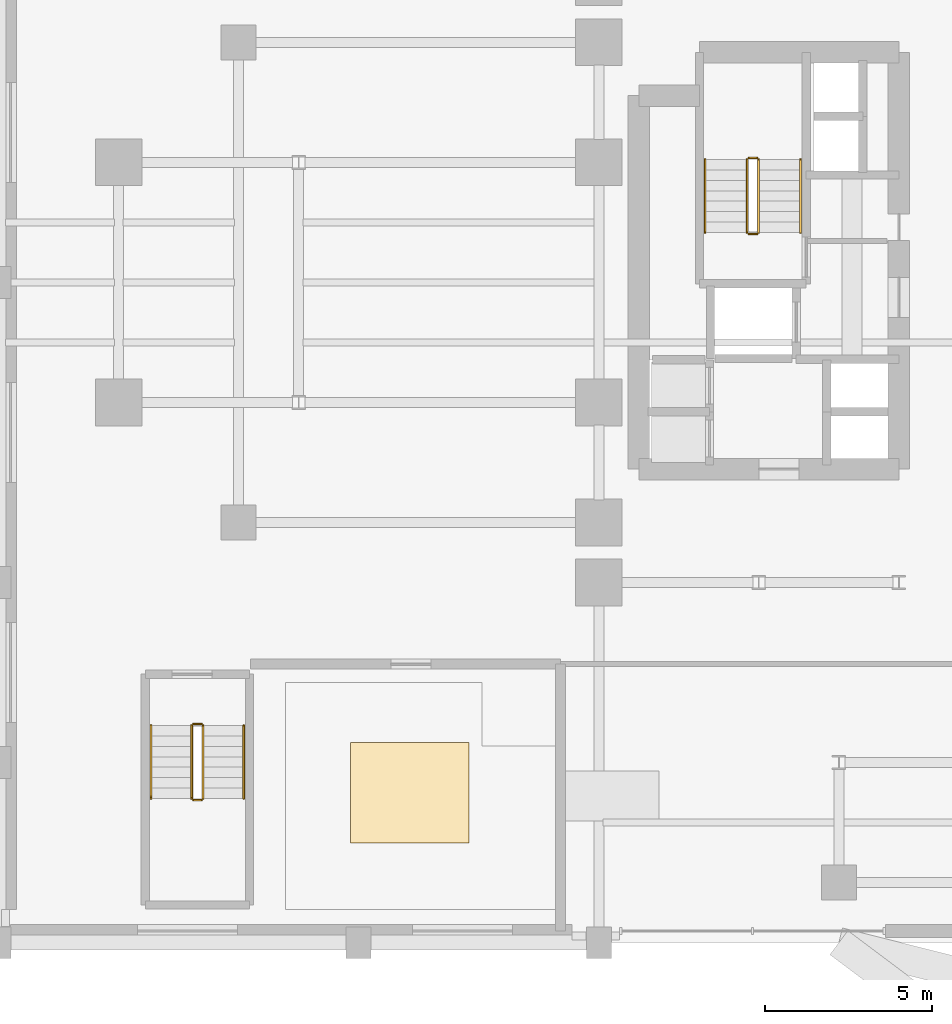
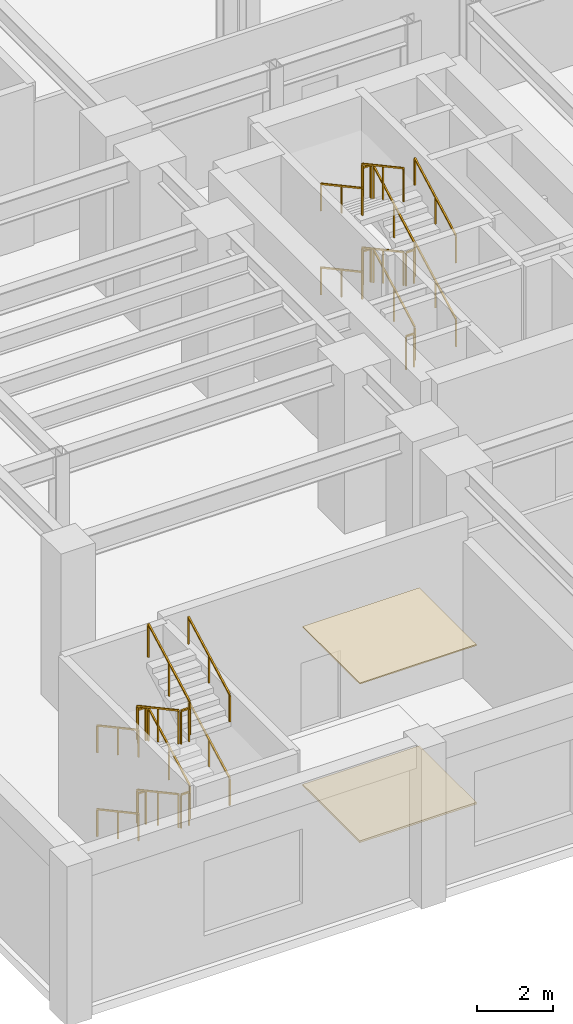
# One storey, part 14 of 16: 24 railings, 2 coverings.
"""IFC4 building model written with IfcOpenShell, lengths in metres."""

from ifc_helpers import new_model, si_unit, direction, frame, origin, origin_2d, place, context, subcontext, project, spatial, rectangle, extrude, source, transform, mapped, material, layer, layer_set, type_object, element, save


model = new_model("IFC4")

# Units and contexts
model_context = context("Model", 3, precision=1e-05, world=origin(), true_north=direction((0.0, 1.0)))
body_context = subcontext(model_context, "Body", "Model", "MODEL_VIEW")
ifc_project = project(units=[si_unit("LENGTHUNIT", "METRE"), si_unit("AREAUNIT", "SQUARE_METRE"), si_unit("VOLUMEUNIT", "CUBIC_METRE"), si_unit("PLANEANGLEUNIT", "RADIAN"), si_unit("MASSUNIT", "GRAM", prefix="KILO")], contexts=[model_context])

# Site, building, storey
site_placement = place(None, origin())
site = spatial("IfcSite", under=ifc_project, at=site_placement, CompositionType="ELEMENT")
building_placement = place(site_placement, origin())
building = spatial("IfcBuilding", under=site, at=building_placement, Name="Keilestroom Media Tower", CompositionType="ELEMENT")
storey_placement = place(building_placement, frame((0.0, 0.0, 10.199951171875)))
storey = spatial("IfcBuildingStorey", under=building, at=storey_placement, Name="L02", CompositionType="ELEMENT", Elevation=10.199951171875)

# Railings
ifc_material_1 = material(Name="Brushed Stainless Steel 1.4301", Category="steel")
railing_type_1 = type_object("IfcRailingType", Name="Stair-Pitch-Handrail-920", PredefinedType="HANDRAIL", material=ifc_material_1)
railing_1_placement = place(storey_placement, frame((-8.35009765625, 1.5, 0.168701171875)))
element("IfcRailing", 1, at=railing_1_placement, inside=storey, type_object=railing_type_1, Name="L02 ST-1 stair handrail 1", PredefinedType="HANDRAIL", context=body_context, shape_type="SweptSolid", body=[
    extrude(rectangle(XDim=0.048095703125, YDim=0.048095703125, at=origin_2d()), frame((0.0, 0.0, 0.8759765625), z_axis=(0.0, 0.879569751981, 0.475769956387), x_axis=(-1.0, 0.0, 0.0)), (0.0, 0.0, 1.0), 2.483154296875),
    extrude(rectangle(XDim=0.0419921875, YDim=0.0419921875, at=origin_2d()), origin(), (0.0, 0.0, 1.0), 0.84375),
    extrude(rectangle(XDim=0.0419921875, YDim=0.0419921875, at=origin_2d()), frame((0.0, 1.092041015625, 0.5908203125)), (0.0, 0.0, 1.0), 0.84375),
    extrude(rectangle(XDim=0.0419921875, YDim=0.0419921875, at=origin_2d()), frame((0.0, 2.18408203125, 1.181396484375)), (0.0, 0.0, 1.0), 0.84375),
])
railing_2_placement = place(storey_placement, frame((-11.2099609375, 3.68408203125, 1.518798828125)))
element("IfcRailing", 2, at=railing_2_placement, inside=storey, type_object=railing_type_1, Name="L02 ST-1 stair handrail 2", PredefinedType="HANDRAIL", context=body_context, shape_type="SweptSolid", body=[
    extrude(rectangle(XDim=0.048095703125, YDim=0.048095703125, at=origin_2d()), frame((0.0, 0.0, 0.8759765625), z_axis=(0.0, -0.879610894823, 0.475693886559), x_axis=(1.0, 0.0, 0.0)), (0.0, 0.0, 1.0), 2.48291015625),
    extrude(rectangle(XDim=0.0419921875, YDim=0.0419921875, at=origin_2d()), origin(), (0.0, 0.0, 1.0), 0.84375),
    extrude(rectangle(XDim=0.0419921875, YDim=0.0419921875, at=origin_2d()), frame((0.0, -1.092041015625, 0.590576171875)), (0.0, 0.0, 1.0), 0.84375),
    extrude(rectangle(XDim=0.0419921875, YDim=0.0419921875, at=origin_2d()), frame((0.0, -2.18408203125, 1.18115234375)), (0.0, 0.0, 1.0), 0.84375),
])
railing_3_placement = place(storey_placement, frame((-8.35009765625, 1.5, 2.868896484375)))
element("IfcRailing", 3, at=railing_3_placement, inside=storey, type_object=railing_type_1, Name="L02 ST-1 stair handrail 3", PredefinedType="HANDRAIL", context=body_context, shape_type="SweptSolid", body=[
    extrude(rectangle(XDim=0.048095703125, YDim=0.048095703125, at=origin_2d()), frame((0.0, 0.0, 0.8759765625), z_axis=(0.0, 0.879610894823, 0.475693886559), x_axis=(-1.0, 0.0, 0.0)), (0.0, 0.0, 1.0), 2.48291015625),
    extrude(rectangle(XDim=0.0419921875, YDim=0.0419921875, at=origin_2d()), origin(), (0.0, 0.0, 1.0), 0.84375),
    extrude(rectangle(XDim=0.0419921875, YDim=0.0419921875, at=origin_2d()), frame((0.0, 1.092041015625, 0.590576171875)), (0.0, 0.0, 1.0), 0.84375),
    extrude(rectangle(XDim=0.0419921875, YDim=0.0419921875, at=origin_2d()), frame((0.0, 2.18408203125, 1.18115234375)), (0.0, 0.0, 1.0), 0.84375),
])
for number, where, name in (
    (4, (-11.2099609375, 3.68408203125, 4.21875), "L02 ST-1 stair handrail 4"),
    (5, (-27.830078125, -13.2900390625, 0.168701171875), "L02 ST-3 stair handrail 1"),
):
    element("IfcRailing", number, at=place(storey_placement, frame(where)), inside=storey, type_object=railing_type_1, Name=name, PredefinedType="HANDRAIL", context=body_context, shape_type="SweptSolid", body=[
        extrude(rectangle(XDim=0.048095703125, YDim=0.048095703125, at=origin_2d()), frame((0.0, 0.0, 0.8759765625), z_axis=(0.0, -0.879569751981, 0.475769956387), x_axis=(1.0, 0.0, 0.0)), (0.0, 0.0, 1.0), 2.483154296875),
        extrude(rectangle(XDim=0.0419921875, YDim=0.0419921875, at=origin_2d()), origin(), (0.0, 0.0, 1.0), 0.84375),
        extrude(rectangle(XDim=0.0419921875, YDim=0.0419921875, at=origin_2d()), frame((0.0, -1.092041015625, 0.5908203125)), (0.0, 0.0, 1.0), 0.84375),
        extrude(rectangle(XDim=0.0419921875, YDim=0.0419921875, at=origin_2d()), frame((0.0, -2.18408203125, 1.181396484375)), (0.0, 0.0, 1.0), 0.84375),
    ])
railing_4_placement = place(storey_placement, frame((-25.050048828125, -15.47412109375, 1.518798828125)))
element("IfcRailing", 6, at=railing_4_placement, inside=storey, type_object=railing_type_1, Name="L02 ST-3 stair handrail 2", PredefinedType="HANDRAIL", context=body_context, shape_type="SweptSolid", body=[
    extrude(rectangle(XDim=0.048095703125, YDim=0.048095703125, at=origin_2d()), frame((0.0, 0.0, 0.8759765625), z_axis=(0.0, 0.879610894823, 0.475693886559), x_axis=(-1.0, 0.0, 0.0)), (0.0, 0.0, 1.0), 2.48291015625),
    extrude(rectangle(XDim=0.0419921875, YDim=0.0419921875, at=origin_2d()), origin(), (0.0, 0.0, 1.0), 0.84375),
    extrude(rectangle(XDim=0.0419921875, YDim=0.0419921875, at=origin_2d()), frame((0.0, 1.092041015625, 0.590576171875)), (0.0, 0.0, 1.0), 0.84375),
    extrude(rectangle(XDim=0.0419921875, YDim=0.0419921875, at=origin_2d()), frame((0.0, 2.18408203125, 1.18115234375)), (0.0, 0.0, 1.0), 0.84375),
])
railing_5_placement = place(storey_placement, frame((-27.830078125, -13.2900390625, 2.868896484375)))
element("IfcRailing", 7, at=railing_5_placement, inside=storey, type_object=railing_type_1, Name="L02 ST-3 stair handrail 3", PredefinedType="HANDRAIL", context=body_context, shape_type="SweptSolid", body=[
    extrude(rectangle(XDim=0.048095703125, YDim=0.048095703125, at=origin_2d()), frame((0.0, 0.0, 0.8759765625), z_axis=(0.0, -0.879610894823, 0.475693886559), x_axis=(1.0, 0.0, 0.0)), (0.0, 0.0, 1.0), 2.48291015625),
    extrude(rectangle(XDim=0.0419921875, YDim=0.0419921875, at=origin_2d()), origin(), (0.0, 0.0, 1.0), 0.84375),
    extrude(rectangle(XDim=0.0419921875, YDim=0.0419921875, at=origin_2d()), frame((0.0, -1.092041015625, 0.590576171875)), (0.0, 0.0, 1.0), 0.84375),
    extrude(rectangle(XDim=0.0419921875, YDim=0.0419921875, at=origin_2d()), frame((0.0, -2.18408203125, 1.18115234375)), (0.0, 0.0, 1.0), 0.84375),
])
railing_6_placement = place(storey_placement, frame((-25.050048828125, -15.47412109375, 4.21875)))
element("IfcRailing", 8, at=railing_6_placement, inside=storey, type_object=railing_type_1, Name="L02 ST-3 stair handrail 4", PredefinedType="HANDRAIL", context=body_context, shape_type="SweptSolid", body=[
    extrude(rectangle(XDim=0.048095703125, YDim=0.048095703125, at=origin_2d()), frame((0.0, 0.0, 0.8759765625), z_axis=(0.0, 0.879569751981, 0.475769956387), x_axis=(-1.0, 0.0, 0.0)), (0.0, 0.0, 1.0), 2.483154296875),
    extrude(rectangle(XDim=0.0419921875, YDim=0.0419921875, at=origin_2d()), origin(), (0.0, 0.0, 1.0), 0.84375),
    extrude(rectangle(XDim=0.0419921875, YDim=0.0419921875, at=origin_2d()), frame((0.0, 1.092041015625, 0.5908203125)), (0.0, 0.0, 1.0), 0.84375),
    extrude(rectangle(XDim=0.0419921875, YDim=0.0419921875, at=origin_2d()), frame((0.0, 2.18408203125, 1.181396484375)), (0.0, 0.0, 1.0), 0.84375),
])
ifc_material_2 = material(Name="Painted Steel Balustrade", Category="steel")
railing_type_2 = type_object("IfcRailingType", Name="Stair-Well-And-Landing-Guard-1100", PredefinedType="GUARDRAIL", material=ifc_material_2)
railing_7_placement = place(storey_placement, frame((-9.610107421875, 1.5, 0.168701171875)))
element("IfcRailing", 9, at=railing_7_placement, inside=storey, type_object=railing_type_2, Name="L02 ST-1 stair guard 1", PredefinedType="GUARDRAIL", context=body_context, shape_type="SweptSolid", body=[
    extrude(rectangle(XDim=0.048095703125, YDim=0.048095703125, at=origin_2d()), frame((0.0, 0.0, 1.076171875), z_axis=(0.0, 0.879569751981, 0.475769956387), x_axis=(-1.0, 0.0, 0.0)), (0.0, 0.0, 1.0), 2.483154296875),
    extrude(rectangle(XDim=0.0419921875, YDim=0.0419921875, at=origin_2d()), origin(), (0.0, 0.0, 1.0), 1.0439453125),
    extrude(rectangle(XDim=0.0419921875, YDim=0.0419921875, at=origin_2d()), frame((0.0, 1.092041015625, 0.5908203125)), (0.0, 0.0, 1.0), 1.0439453125),
    extrude(rectangle(XDim=0.0419921875, YDim=0.0419921875, at=origin_2d()), frame((0.0, 2.18408203125, 1.181396484375)), (0.0, 0.0, 1.0), 1.0439453125),
])
railing_8_placement = place(storey_placement, frame((-9.659912109375, 3.73388671875, 1.35009765625)))
element("IfcRailing", 10, at=railing_8_placement, inside=storey, type_object=railing_type_2, Name="L02 ST-1 stair guard 2", PredefinedType="GUARDRAIL", context=body_context, shape_type="SweptSolid", body=[
    extrude(rectangle(XDim=0.048095703125, YDim=0.048095703125, at=origin_2d()), frame((0.0, 0.0, 1.076171875), z_axis=(-1.0, 0.0, 0.0), x_axis=(0.0, -1.0, 0.0)), (0.0, 0.0, 1.0), 0.239990234375),
    extrude(rectangle(XDim=0.0419921875, YDim=0.0419921875, at=origin_2d()), origin(), (0.0, 0.0, 1.0), 1.0439453125),
    extrude(rectangle(XDim=0.0419921875, YDim=0.0419921875, at=origin_2d()), frame((-0.239990234375, 0.0, 0.0)), (0.0, 0.0, 1.0), 1.0439453125),
])
railing_9_placement = place(storey_placement, frame((-9.949951171875, 3.68408203125, 1.518798828125)))
element("IfcRailing", 11, at=railing_9_placement, inside=storey, type_object=railing_type_2, Name="L02 ST-1 stair guard 3", PredefinedType="GUARDRAIL", context=body_context, shape_type="SweptSolid", body=[
    extrude(rectangle(XDim=0.048095703125, YDim=0.048095703125, at=origin_2d()), frame((0.0, 0.0, 1.076171875), z_axis=(0.0, -0.879610894823, 0.475693886559), x_axis=(1.0, 0.0, 0.0)), (0.0, 0.0, 1.0), 2.48291015625),
    extrude(rectangle(XDim=0.0419921875, YDim=0.0419921875, at=origin_2d()), origin(), (0.0, 0.0, 1.0), 1.0439453125),
    extrude(rectangle(XDim=0.0419921875, YDim=0.0419921875, at=origin_2d()), frame((0.0, -1.092041015625, 0.590576171875)), (0.0, 0.0, 1.0), 1.0439453125),
    extrude(rectangle(XDim=0.0419921875, YDim=0.0419921875, at=origin_2d()), frame((0.0, -2.18408203125, 1.18115234375)), (0.0, 0.0, 1.0), 1.0439453125),
])
railing_10_placement = place(storey_placement, frame((-9.659912109375, 1.449951171875, 2.699951171875)))
element("IfcRailing", 12, at=railing_10_placement, inside=storey, type_object=railing_type_2, Name="L02 ST-1 stair guard 4", PredefinedType="GUARDRAIL", context=body_context, shape_type="SweptSolid", body=[
    extrude(rectangle(XDim=0.048095703125, YDim=0.048095703125, at=origin_2d()), frame((0.0, 0.0, 1.076171875), z_axis=(-1.0, 0.0, 0.0), x_axis=(0.0, -1.0, 0.0)), (0.0, 0.0, 1.0), 0.239990234375),
    extrude(rectangle(XDim=0.0419921875, YDim=0.0419921875, at=origin_2d()), origin(), (0.0, 0.0, 1.0), 1.0439453125),
    extrude(rectangle(XDim=0.0419921875, YDim=0.0419921875, at=origin_2d()), frame((-0.239990234375, 0.0, 0.0)), (0.0, 0.0, 1.0), 1.0439453125),
])
railing_11_placement = place(storey_placement, frame((-9.610107421875, 1.5, 2.868896484375)))
element("IfcRailing", 13, at=railing_11_placement, inside=storey, type_object=railing_type_2, Name="L02 ST-1 stair guard 5", PredefinedType="GUARDRAIL", context=body_context, shape_type="SweptSolid", body=[
    extrude(rectangle(XDim=0.048095703125, YDim=0.048095703125, at=origin_2d()), frame((0.0, 0.0, 1.076171875), z_axis=(0.0, 0.879610894823, 0.475693886559), x_axis=(-1.0, 0.0, 0.0)), (0.0, 0.0, 1.0), 2.48291015625),
    extrude(rectangle(XDim=0.0419921875, YDim=0.0419921875, at=origin_2d()), origin(), (0.0, 0.0, 1.0), 1.0439453125),
    extrude(rectangle(XDim=0.0419921875, YDim=0.0419921875, at=origin_2d()), frame((0.0, 1.092041015625, 0.590576171875)), (0.0, 0.0, 1.0), 1.0439453125),
    extrude(rectangle(XDim=0.0419921875, YDim=0.0419921875, at=origin_2d()), frame((0.0, 2.18408203125, 1.18115234375)), (0.0, 0.0, 1.0), 1.0439453125),
])
railing_12_placement = place(storey_placement, frame((-9.659912109375, 3.73388671875, 4.050048828125)))
element("IfcRailing", 14, at=railing_12_placement, inside=storey, type_object=railing_type_2, Name="L02 ST-1 stair guard 6", PredefinedType="GUARDRAIL", context=body_context, shape_type="SweptSolid", body=[
    extrude(rectangle(XDim=0.048095703125, YDim=0.048095703125, at=origin_2d()), frame((0.0, 0.0, 1.076171875), z_axis=(-1.0, 0.0, 0.0), x_axis=(0.0, -1.0, 0.0)), (0.0, 0.0, 1.0), 0.239990234375),
    extrude(rectangle(XDim=0.0419921875, YDim=0.0419921875, at=origin_2d()), origin(), (0.0, 0.0, 1.0), 1.0439453125),
    extrude(rectangle(XDim=0.0419921875, YDim=0.0419921875, at=origin_2d()), frame((-0.239990234375, 0.0, 0.0)), (0.0, 0.0, 1.0), 1.0439453125),
])
railing_13_placement = place(storey_placement, frame((-9.949951171875, 3.68408203125, 4.21875)))
element("IfcRailing", 15, at=railing_13_placement, inside=storey, type_object=railing_type_2, Name="L02 ST-1 stair guard 7", PredefinedType="GUARDRAIL", context=body_context, shape_type="SweptSolid", body=[
    extrude(rectangle(XDim=0.048095703125, YDim=0.048095703125, at=origin_2d()), frame((0.0, 0.0, 1.076171875), z_axis=(0.0, -0.879569751981, 0.475769956387), x_axis=(1.0, 0.0, 0.0)), (0.0, 0.0, 1.0), 2.483154296875),
    extrude(rectangle(XDim=0.0419921875, YDim=0.0419921875, at=origin_2d()), origin(), (0.0, 0.0, 1.0), 1.0439453125),
    extrude(rectangle(XDim=0.0419921875, YDim=0.0419921875, at=origin_2d()), frame((0.0, -1.092041015625, 0.5908203125)), (0.0, 0.0, 1.0), 1.0439453125),
    extrude(rectangle(XDim=0.0419921875, YDim=0.0419921875, at=origin_2d()), frame((0.0, -2.18408203125, 1.181396484375)), (0.0, 0.0, 1.0), 1.0439453125),
])
railing_14_placement = place(storey_placement, frame((-9.659912109375, 1.449951171875, 0.0)))
element("IfcRailing", 16, at=railing_14_placement, inside=storey, type_object=railing_type_2, Name="L02 ST-1 stair guard 8", PredefinedType="GUARDRAIL", context=body_context, shape_type="SweptSolid", body=[
    extrude(rectangle(XDim=0.048095703125, YDim=0.048095703125, at=origin_2d()), frame((0.0, 0.0, 1.076171875), z_axis=(-1.0, 0.0, 0.0), x_axis=(0.0, -1.0, 0.0)), (0.0, 0.0, 1.0), 0.239990234375),
    extrude(rectangle(XDim=0.0419921875, YDim=0.0419921875, at=origin_2d()), origin(), (0.0, 0.0, 1.0), 1.0439453125),
    extrude(rectangle(XDim=0.0419921875, YDim=0.0419921875, at=origin_2d()), frame((-0.239990234375, 0.0, 0.0)), (0.0, 0.0, 1.0), 1.0439453125),
])
railing_15_placement = place(storey_placement, frame((-26.610107421875, -13.2900390625, 0.168701171875)))
element("IfcRailing", 17, at=railing_15_placement, inside=storey, type_object=railing_type_2, Name="L02 ST-3 stair guard 1", PredefinedType="GUARDRAIL", context=body_context, shape_type="SweptSolid", body=[
    extrude(rectangle(XDim=0.048095703125, YDim=0.048095703125, at=origin_2d()), frame((0.0, 0.0, 1.076171875), z_axis=(0.0, -0.879569751981, 0.475769956387), x_axis=(1.0, 0.0, 0.0)), (0.0, 0.0, 1.0), 2.483154296875),
    extrude(rectangle(XDim=0.0419921875, YDim=0.0419921875, at=origin_2d()), origin(), (0.0, 0.0, 1.0), 1.0439453125),
    extrude(rectangle(XDim=0.0419921875, YDim=0.0419921875, at=origin_2d()), frame((0.0, -1.092041015625, 0.5908203125)), (0.0, 0.0, 1.0), 1.0439453125),
    extrude(rectangle(XDim=0.0419921875, YDim=0.0419921875, at=origin_2d()), frame((0.0, -2.18408203125, 1.181396484375)), (0.0, 0.0, 1.0), 1.0439453125),
])
railing_16_placement = place(storey_placement, frame((-26.56005859375, -15.52392578125, 1.35009765625)))
element("IfcRailing", 18, at=railing_16_placement, inside=storey, type_object=railing_type_2, Name="L02 ST-3 stair guard 2", PredefinedType="GUARDRAIL", context=body_context, shape_type="SweptSolid", body=[
    extrude(rectangle(XDim=0.048095703125, YDim=0.048095703125, at=origin_2d()), frame((0.0, 0.0, 1.076171875), z_axis=(1.0, 0.0, 0.0), x_axis=(0.0, 1.0, 0.0)), (0.0, 0.0, 1.0), 0.239990234375),
    extrude(rectangle(XDim=0.0419921875, YDim=0.0419921875, at=origin_2d()), origin(), (0.0, 0.0, 1.0), 1.0439453125),
    extrude(rectangle(XDim=0.0419921875, YDim=0.0419921875, at=origin_2d()), frame((0.239990234375, 0.0, 0.0)), (0.0, 0.0, 1.0), 1.0439453125),
])
railing_17_placement = place(storey_placement, frame((-26.27001953125, -15.47412109375, 1.518798828125)))
element("IfcRailing", 19, at=railing_17_placement, inside=storey, type_object=railing_type_2, Name="L02 ST-3 stair guard 3", PredefinedType="GUARDRAIL", context=body_context, shape_type="SweptSolid", body=[
    extrude(rectangle(XDim=0.048095703125, YDim=0.048095703125, at=origin_2d()), frame((0.0, 0.0, 1.076171875), z_axis=(0.0, 0.879610894823, 0.475693886559), x_axis=(-1.0, 0.0, 0.0)), (0.0, 0.0, 1.0), 2.48291015625),
    extrude(rectangle(XDim=0.0419921875, YDim=0.0419921875, at=origin_2d()), origin(), (0.0, 0.0, 1.0), 1.0439453125),
    extrude(rectangle(XDim=0.0419921875, YDim=0.0419921875, at=origin_2d()), frame((0.0, 1.092041015625, 0.590576171875)), (0.0, 0.0, 1.0), 1.0439453125),
    extrude(rectangle(XDim=0.0419921875, YDim=0.0419921875, at=origin_2d()), frame((0.0, 2.18408203125, 1.18115234375)), (0.0, 0.0, 1.0), 1.0439453125),
])
railing_18_placement = place(storey_placement, frame((-26.56005859375, -13.239990234375, 2.699951171875)))
element("IfcRailing", 20, at=railing_18_placement, inside=storey, type_object=railing_type_2, Name="L02 ST-3 stair guard 4", PredefinedType="GUARDRAIL", context=body_context, shape_type="SweptSolid", body=[
    extrude(rectangle(XDim=0.048095703125, YDim=0.048095703125, at=origin_2d()), frame((0.0, 0.0, 1.076171875), z_axis=(1.0, 0.0, 0.0), x_axis=(0.0, 1.0, 0.0)), (0.0, 0.0, 1.0), 0.239990234375),
    extrude(rectangle(XDim=0.0419921875, YDim=0.0419921875, at=origin_2d()), origin(), (0.0, 0.0, 1.0), 1.0439453125),
    extrude(rectangle(XDim=0.0419921875, YDim=0.0419921875, at=origin_2d()), frame((0.239990234375, 0.0, 0.0)), (0.0, 0.0, 1.0), 1.0439453125),
])
railing_19_placement = place(storey_placement, frame((-26.610107421875, -13.2900390625, 2.868896484375)))
element("IfcRailing", 21, at=railing_19_placement, inside=storey, type_object=railing_type_2, Name="L02 ST-3 stair guard 5", PredefinedType="GUARDRAIL", context=body_context, shape_type="SweptSolid", body=[
    extrude(rectangle(XDim=0.048095703125, YDim=0.048095703125, at=origin_2d()), frame((0.0, 0.0, 1.076171875), z_axis=(0.0, -0.879610894823, 0.475693886559), x_axis=(1.0, 0.0, 0.0)), (0.0, 0.0, 1.0), 2.48291015625),
    extrude(rectangle(XDim=0.0419921875, YDim=0.0419921875, at=origin_2d()), origin(), (0.0, 0.0, 1.0), 1.0439453125),
    extrude(rectangle(XDim=0.0419921875, YDim=0.0419921875, at=origin_2d()), frame((0.0, -1.092041015625, 0.590576171875)), (0.0, 0.0, 1.0), 1.0439453125),
    extrude(rectangle(XDim=0.0419921875, YDim=0.0419921875, at=origin_2d()), frame((0.0, -2.18408203125, 1.18115234375)), (0.0, 0.0, 1.0), 1.0439453125),
])
railing_20_placement = place(storey_placement, frame((-26.56005859375, -15.52392578125, 4.050048828125)))
element("IfcRailing", 22, at=railing_20_placement, inside=storey, type_object=railing_type_2, Name="L02 ST-3 stair guard 6", PredefinedType="GUARDRAIL", context=body_context, shape_type="SweptSolid", body=[
    extrude(rectangle(XDim=0.048095703125, YDim=0.048095703125, at=origin_2d()), frame((0.0, 0.0, 1.076171875), z_axis=(1.0, 0.0, 0.0), x_axis=(0.0, 1.0, 0.0)), (0.0, 0.0, 1.0), 0.239990234375),
    extrude(rectangle(XDim=0.0419921875, YDim=0.0419921875, at=origin_2d()), origin(), (0.0, 0.0, 1.0), 1.0439453125),
    extrude(rectangle(XDim=0.0419921875, YDim=0.0419921875, at=origin_2d()), frame((0.239990234375, 0.0, 0.0)), (0.0, 0.0, 1.0), 1.0439453125),
])
railing_21_placement = place(storey_placement, frame((-26.27001953125, -15.47412109375, 4.21875)))
element("IfcRailing", 23, at=railing_21_placement, inside=storey, type_object=railing_type_2, Name="L02 ST-3 stair guard 7", PredefinedType="GUARDRAIL", context=body_context, shape_type="SweptSolid", body=[
    extrude(rectangle(XDim=0.048095703125, YDim=0.048095703125, at=origin_2d()), frame((0.0, 0.0, 1.076171875), z_axis=(0.0, 0.879569751981, 0.475769956387), x_axis=(-1.0, 0.0, 0.0)), (0.0, 0.0, 1.0), 2.483154296875),
    extrude(rectangle(XDim=0.0419921875, YDim=0.0419921875, at=origin_2d()), origin(), (0.0, 0.0, 1.0), 1.0439453125),
    extrude(rectangle(XDim=0.0419921875, YDim=0.0419921875, at=origin_2d()), frame((0.0, 1.092041015625, 0.5908203125)), (0.0, 0.0, 1.0), 1.0439453125),
    extrude(rectangle(XDim=0.0419921875, YDim=0.0419921875, at=origin_2d()), frame((0.0, 2.18408203125, 1.181396484375)), (0.0, 0.0, 1.0), 1.0439453125),
])
railing_22_placement = place(storey_placement, frame((-26.56005859375, -13.239990234375, 0.0)))
element("IfcRailing", 24, at=railing_22_placement, inside=storey, type_object=railing_type_2, Name="L02 ST-3 stair guard 8", PredefinedType="GUARDRAIL", context=body_context, shape_type="SweptSolid", body=[
    extrude(rectangle(XDim=0.048095703125, YDim=0.048095703125, at=origin_2d()), frame((0.0, 0.0, 1.076171875), z_axis=(1.0, 0.0, 0.0), x_axis=(0.0, 1.0, 0.0)), (0.0, 0.0, 1.0), 0.239990234375),
    extrude(rectangle(XDim=0.0419921875, YDim=0.0419921875, at=origin_2d()), origin(), (0.0, 0.0, 1.0), 1.0439453125),
    extrude(rectangle(XDim=0.0419921875, YDim=0.0419921875, at=origin_2d()), frame((0.239990234375, 0.0, 0.0)), (0.0, 0.0, 1.0), 1.0439453125),
])

# Coverings
ifc_material_3 = material(Name="Mineral-Fibre Acoustic Ceiling Tile", Category="gypsum")
ifc_layer_1 = layer(ifc_material_3, 0.0400390625)
ifc_layer_set_1 = layer_set([ifc_layer_1], Name="Mineral-Fibre Acoustic Ceiling Tile")
covering_type_1 = type_object("IfcCoveringType", Name="Suspended-Acoustic-Ceiling-40", PredefinedType="CEILING", material=ifc_layer_set_1)
shared_shape_1 = source(origin(), body_context, "Body", "SweptSolid", [
    extrude(rectangle(XDim=3.555908203125, YDim=3.01611328125, at=origin_2d()), origin(), (0.0, 0.0, 1.0), 0.0400390625),
])
covering_1_placement = place(storey_placement, frame((-20.074951171875, -15.300048828125, 5.110107421875), z_axis=(0.0, 0.0, 1.0), x_axis=(1.0, 0.0, 0.0)))
element("IfcCovering", 25, at=covering_1_placement, inside=storey, type_object=covering_type_1, Name="L02 Suspended Acoustic Ceiling 2", PredefinedType="CEILING", context=body_context, shape_type="MappedRepresentation", body=[
    mapped(shared_shape_1, transform((0.0, 0.0, 0.0), x_axis=(1.0, 0.0, 0.0), y_axis=(0.0, 1.0, 0.0), z_axis=(0.0, 0.0, 1.0), scale=1.0)),
])
ifc_material_4 = material(Name="Calcium-Sulphate Raised Access Floor", Category="concrete")
ifc_layer_2 = layer(ifc_material_4, 0.06005859375)
ifc_layer_set_2 = layer_set([ifc_layer_2], Name="Calcium-Sulphate Raised Access Floor")
covering_type_2 = type_object("IfcCoveringType", Name="Raised-Access-And-Acoustic-Flooring-60", PredefinedType="FLOORING", material=ifc_layer_set_2)
shared_shape_2 = source(origin(), body_context, "Body", "SweptSolid", [
    extrude(rectangle(XDim=3.555908203125, YDim=3.01611328125, at=origin_2d()), origin(), (0.0, 0.0, 1.0), 0.06005859375),
])
covering_2_placement = place(storey_placement, frame((-20.074951171875, -15.300048828125, 0.0), z_axis=(0.0, 0.0, 1.0), x_axis=(1.0, 0.0, 0.0)))
element("IfcCovering", 26, at=covering_2_placement, inside=storey, type_object=covering_type_2, Name="L02 Raised Access Flooring 2", PredefinedType="FLOORING", context=body_context, shape_type="MappedRepresentation", body=[
    mapped(shared_shape_2, transform((0.0, 0.0, 0.0), x_axis=(1.0, 0.0, 0.0), y_axis=(0.0, 1.0, 0.0), z_axis=(0.0, 0.0, 1.0), scale=1.0)),
])

save(model, "model.ifc")
